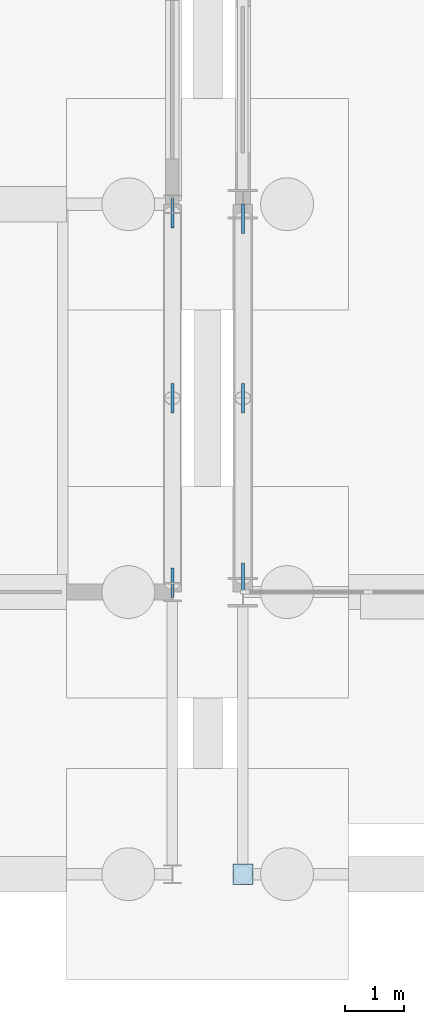
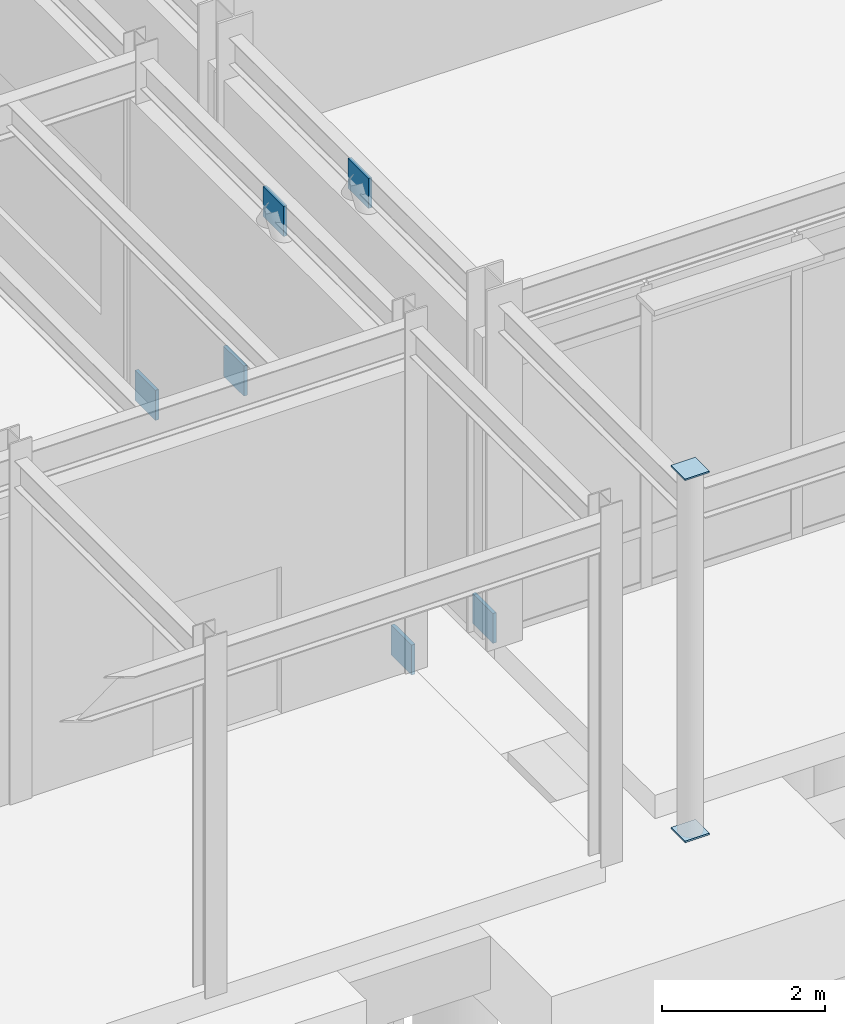
# One storey, part 56 of 82: 8 plates.
"""IFC4 building model written with IfcOpenShell, lengths in metres."""

from ifc_helpers import new_model, si_unit, direction, frame, origin, origin_2d, place, context, subcontext, project, spatial, rectangle, extrude, material, layer, layer_set, type_object, element, save


model = new_model("IFC4")

# Units and contexts
model_context = context("Model", 3, precision=1e-05, world=origin(), true_north=direction((0.0, 1.0)))
body_context = subcontext(model_context, "Body", "Model", "MODEL_VIEW")
ifc_project = project(units=[si_unit("LENGTHUNIT", "METRE"), si_unit("AREAUNIT", "SQUARE_METRE"), si_unit("VOLUMEUNIT", "CUBIC_METRE"), si_unit("PLANEANGLEUNIT", "RADIAN"), si_unit("MASSUNIT", "GRAM", prefix="KILO")], contexts=[model_context])

# Site, building, storey
site_placement = place(None, origin())
site = spatial("IfcSite", under=ifc_project, at=site_placement, CompositionType="ELEMENT")
building_placement = place(site_placement, origin())
building = spatial("IfcBuilding", under=site, at=building_placement, Name="Trelmorton Wharf Fire Station", CompositionType="ELEMENT")
storey_placement = place(building_placement, origin())
storey = spatial("IfcBuildingStorey", under=building, at=storey_placement, Name="L00", CompositionType="ELEMENT", Elevation=0.0)

# Plates
ifc_material = material(Name="Steel Grade 350", Category="steel")
ifc_layer_1 = layer(ifc_material, 0.02001953125)
ifc_layer_set_1 = layer_set([ifc_layer_1], Name="Steel Grade 350")
plate_type_1 = type_object("IfcPlateType", Name="PL_ENDCAP_20", PredefinedType="SHEET", material=ifc_layer_set_1)
for number, where, z_axis, x_axis, name in (
    (1, (58.0, 3.0, -0.02197265625), (0.0, 0.0, 1.0), (1.0, 0.0, 0.0), "PL-COLCAP-B-0098"),
    (2, (58.0, 3.0, 5.39794921875), (0.0, 0.0, 1.0), (1.0, 0.0, 0.0), "PL-COLCAP-T-0098"),
):
    element("IfcPlate", number, at=place(storey_placement, frame(where, z_axis=z_axis, x_axis=x_axis)), inside=storey, type_object=plate_type_1, Name=name, PredefinedType="SHEET", context=body_context, shape_type="SweptSolid", body=[
        extrude(rectangle(XDim=0.343994140625, YDim=0.343994140625, at=origin_2d()), origin(), (0.0, 0.0, 1.0), 0.02392578125),
    ])
ifc_layer_2 = layer(ifc_material, 0.050048828125)
ifc_layer_set_2 = layer_set([ifc_layer_2], Name="Steel Grade 350")
plate_type_2 = type_object("IfcPlateType", Name="PL_GUSSET_TN2", PredefinedType="USERDEFINED", material=ifc_layer_set_2)
for number, where, z_axis, x_axis, name in (
    (3, (56.800048828125, 7.96044921875, -0.10498046875), (0.0, 0.0, 1.0), (1.0, 0.0, 0.0), "PL-CBF-0355"),
    (4, (56.800048828125, 14.24560546875, -0.10498046875), (0.0, 0.0, 1.0), (1.0, 0.0, 0.0), "PL-CBF-0356"),
    (5, (56.800048828125, 11.10009765625, 4.55517578125), (0.0, 0.0, 1.0), (1.0, 0.0, 0.0), "PL-CBF-0357"),
    (6, (58.0, 8.047119140625, -0.10498046875), (0.0, 0.0, 1.0), (1.0, 0.0, 0.0), "PL-CBF-0361"),
    (7, (58.0, 14.153076171875, -0.10498046875), (0.0, 0.0, 1.0), (1.0, 0.0, 0.0), "PL-CBF-0362"),
    (8, (58.0, 11.10009765625, 4.55517578125), (0.0, 0.0, 1.0), (1.0, 0.0, 0.0), "PL-CBF-0363"),
):
    element("IfcPlate", number, at=place(storey_placement, frame(where, z_axis=z_axis, x_axis=x_axis)), inside=storey, type_object=plate_type_2, Name=name, ObjectType="GUSSET PLATE", PredefinedType="USERDEFINED", context=body_context, shape_type="SweptSolid", body=[
        extrude(rectangle(XDim=0.050048828125, YDim=0.5, at=origin_2d()), origin(), (0.0, 0.0, 1.0), 0.449951171875),
    ])

save(model, "model.ifc")
